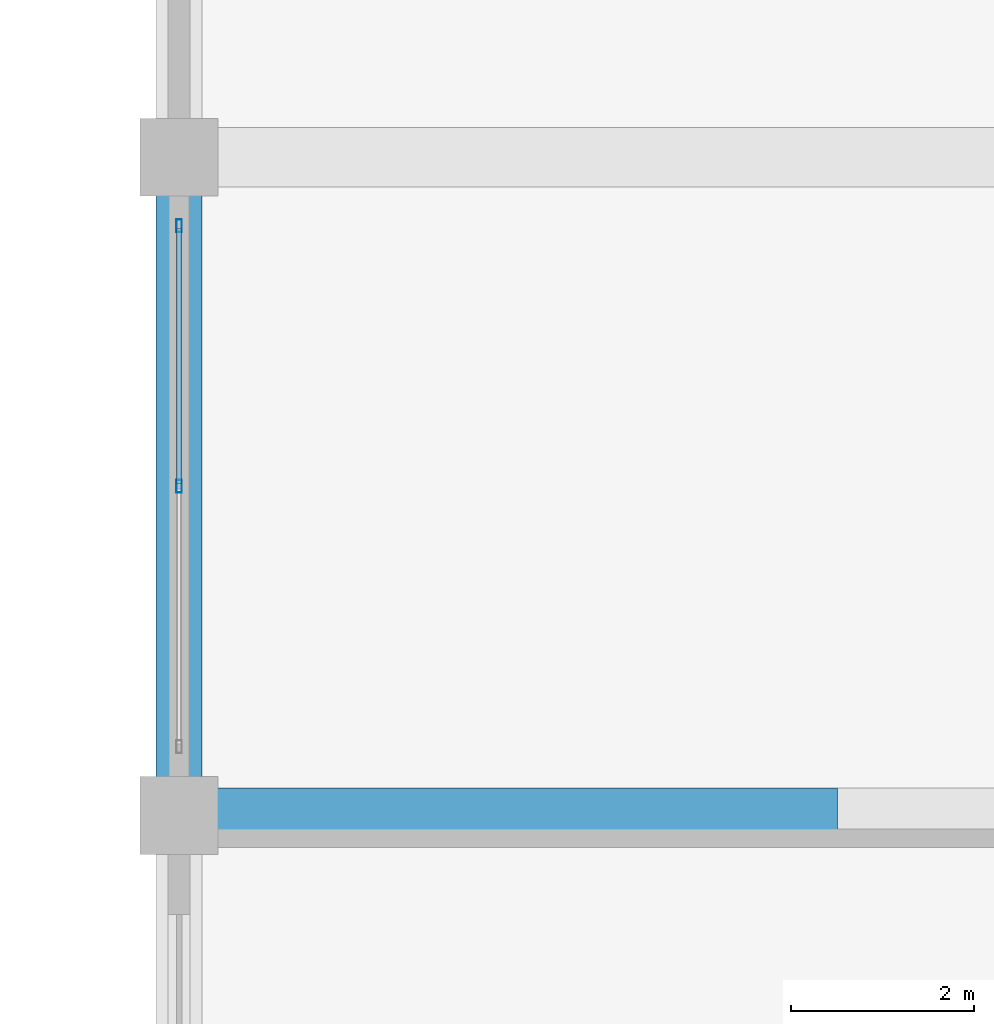
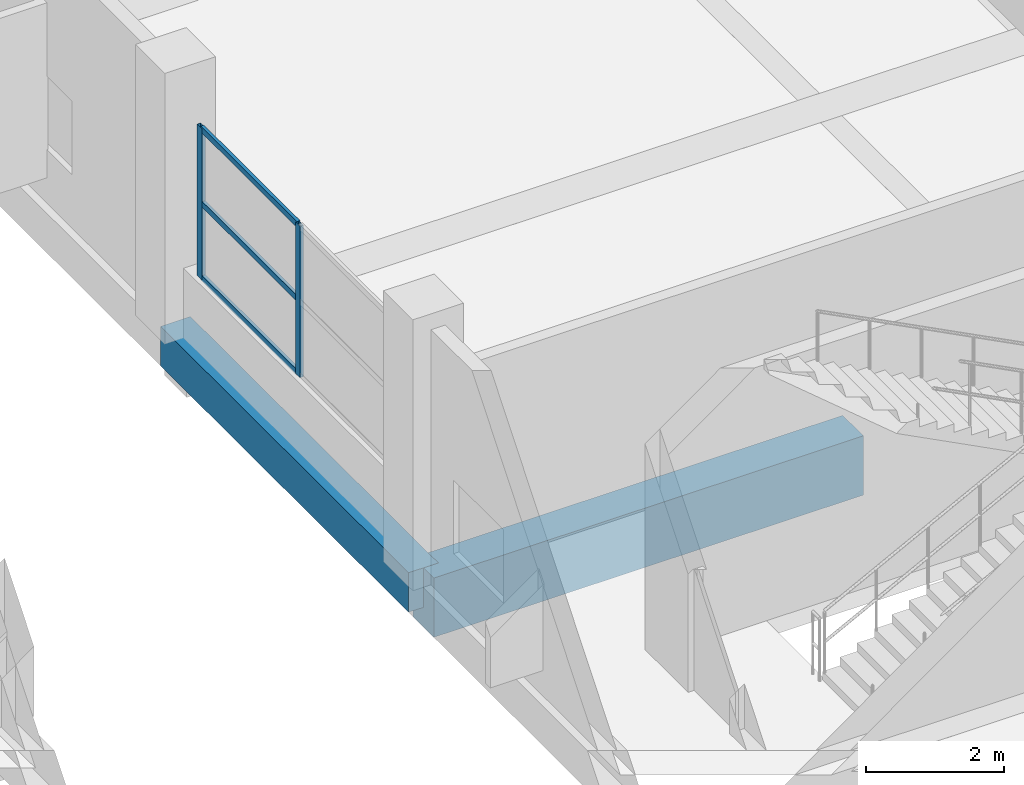
# One storey, part 66 of 181: 5 members, 2 beams, 1 element without a shape of its own.
"""IFC4 building model written with IfcOpenShell, lengths in metres."""

from ifc_helpers import new_model, si_unit, direction, frame, origin, origin_2d, place, context, subcontext, project, spatial, rectangle, hollow_rectangle, extrude, material, layer, layer_set, material_profile, profile_set, type_object, element, aggregate, save


model = new_model("IFC4")

# Units and contexts
model_context = context("Model", 3, precision=1e-05, world=origin(), true_north=direction((0.0, 1.0)))
body_context = subcontext(model_context, "Body", "Model", "MODEL_VIEW")
ifc_project = project(units=[si_unit("LENGTHUNIT", "METRE"), si_unit("AREAUNIT", "SQUARE_METRE"), si_unit("VOLUMEUNIT", "CUBIC_METRE"), si_unit("PLANEANGLEUNIT", "RADIAN"), si_unit("MASSUNIT", "GRAM", prefix="KILO")], contexts=[model_context])

# Site, building, storey
site_placement = place(None, origin())
site = spatial("IfcSite", under=ifc_project, at=site_placement, CompositionType="ELEMENT")
building_placement = place(site_placement, origin())
building = spatial("IfcBuilding", under=site, at=building_placement, Name="Seraya Terrace Polytechnic", CompositionType="ELEMENT")
storey_placement = place(building_placement, frame((0.0, 0.0, 4.800048828125)))
storey = spatial("IfcBuildingStorey", under=building, at=storey_placement, Name="L01", CompositionType="ELEMENT", Elevation=4.800048828125)

# Beams
ifc_material_1 = material(Name="Concrete C40/50", Category="concrete")
ifc_material_profile_1 = material_profile(ifc_material_1, rectangle(XDim=0.60009765625, YDim=1.050048828125, at=origin_2d()), Name="RC 600x1050")
ifc_profile_set_1 = profile_set([ifc_material_profile_1], Name="Concrete C40/50")
beam_type_1 = type_object("IfcBeamType", Name="BM-01", PredefinedType="BEAM", material=ifc_profile_set_1)
beam_1_placement = place(storey_placement, frame((14.39990234375, 86.39990234375, -0.525146484375), z_axis=(1.0, 0.0, 0.0), x_axis=(0.0, 1.0, 0.0)))
element("IfcBeam", 1, at=beam_1_placement, inside=storey, type_object=beam_type_1, Name="Beam BM-01 L01 X (14.4..21.6, 86.4)", PredefinedType="BEAM", context=body_context, shape_type="SweptSolid", body=[
    extrude(rectangle(XDim=0.60009765625, YDim=1.050048828125, at=origin_2d()), origin(), (0.0, 0.0, 1.0), 7.2001953125),
])
ifc_material_profile_2 = material_profile(ifc_material_1, rectangle(XDim=0.5, YDim=0.699951171875, at=origin_2d()), Name="RC 500x700")
ifc_profile_set_2 = profile_set([ifc_material_profile_2], Name="Concrete C40/50")
beam_type_2 = type_object("IfcBeamType", Name="BM-07", PredefinedType="BEAM", material=ifc_profile_set_2)
beam_2_placement = place(storey_placement, frame((14.39990234375, 86.39990234375, -0.35009765625), z_axis=(0.0, 1.0, 0.0), x_axis=(-1.0, 0.0, 0.0)))
element("IfcBeam", 2, at=beam_2_placement, inside=storey, type_object=beam_type_2, Name="Beam BM-07 L01 Y (14.4, 86.4..93.6)", PredefinedType="BEAM", context=body_context, shape_type="SweptSolid", body=[
    extrude(rectangle(XDim=0.5, YDim=0.699951171875, at=origin_2d()), origin(), (0.0, 0.0, 1.0), 7.2001953125),
])

# Curtain wall, members
ifc_material_2 = material(Name="Anodised aluminium EN AW-6063 T6", Category="aluminium")
ifc_layer = layer(ifc_material_2, 0.179931640625, Name="CW-06")
ifc_layer_set = layer_set([ifc_layer], Name="Anodised aluminium EN AW-6063 T6")
curtain_wall_type = type_object("IfcCurtainWallType", Name="CW-06", PredefinedType="NOTDEFINED", material=ifc_layer_set)
curtain_wall_placement = place(storey_placement, origin())
curtain_wall = element("IfcCurtainWall", 3, at=curtain_wall_placement, inside=storey, type_object=curtain_wall_type, Name="Unitised curtain wall CW-06 (CW-L01-006)", PredefinedType="NOTDEFINED")
ifc_material_profile_3 = material_profile(ifc_material_2, hollow_rectangle(XDim=0.06005859375, YDim=0.139892578125, WallThickness=0.00341796875, at=origin_2d()), Name="RHS 140x60x3.5")
ifc_profile_set_3 = profile_set([ifc_material_profile_3], Name="Anodised aluminium EN AW-6063 T6")
member_type_1 = type_object("IfcMemberType", Name="CWM-03", PredefinedType="MULLION", material=ifc_profile_set_3)
member_1_placement = place(storey_placement, frame((14.39990234375, 90.0, 1.239990234375), z_axis=(0.0, 0.0, 1.0), x_axis=(-1.0, 0.0, 0.0)))
member_1 = element("IfcMember", 4, at=member_1_placement, type_object=member_type_1, Name="CW-06 mullion 2", PredefinedType="MULLION", context=body_context, shape_type="SweptSolid", body=[
    extrude(hollow_rectangle(XDim=0.06005859375, YDim=0.139892578125, WallThickness=0.00341796875, at=origin_2d()), origin(), (0.0, 0.0, 1.0), 2.679931640625),
])
member_2_placement = place(storey_placement, frame((14.39990234375, 92.85009765625, 1.239990234375), z_axis=(0.0, 0.0, 1.0), x_axis=(-1.0, 0.0, 0.0)))
member_2 = element("IfcMember", 5, at=member_2_placement, type_object=member_type_1, Name="CW-06 mullion 3", PredefinedType="MULLION", context=body_context, shape_type="SweptSolid", body=[
    extrude(hollow_rectangle(XDim=0.06005859375, YDim=0.139892578125, WallThickness=0.00341796875, at=origin_2d()), origin(), (0.0, 0.0, 1.0), 2.679931640625),
])
ifc_material_profile_4 = material_profile(ifc_material_2, hollow_rectangle(XDim=0.054931640625, YDim=0.10009765625, WallThickness=0.0029296875, at=origin_2d()), Name="RHS 100x55x3.0")
ifc_profile_set_4 = profile_set([ifc_material_profile_4], Name="Anodised aluminium EN AW-6063 T6")
member_type_2 = type_object("IfcMemberType", Name="CWT-03", PredefinedType="USERDEFINED", material=ifc_profile_set_4)
member_3_placement = place(storey_placement, frame((14.39990234375, 90.030029296875, 1.267333984375), z_axis=(0.0, 1.0, 0.0), x_axis=(-1.0, 0.0, 0.0)))
member_3 = element("IfcMember", 6, at=member_3_placement, type_object=member_type_2, Name="CW-06 transom 2.1", ObjectType="TRANSOM", PredefinedType="USERDEFINED", context=body_context, shape_type="SweptSolid", body=[
    extrude(hollow_rectangle(XDim=0.054931640625, YDim=0.10009765625, WallThickness=0.0029296875, at=origin_2d()), origin(), (0.0, 0.0, 1.0), 2.7900390625),
])
member_4_placement = place(storey_placement, frame((14.39990234375, 90.030029296875, 2.579833984375), z_axis=(0.0, 1.0, 0.0), x_axis=(-1.0, 0.0, 0.0)))
member_4 = element("IfcMember", 7, at=member_4_placement, type_object=member_type_2, Name="CW-06 transom 2.2", ObjectType="TRANSOM", PredefinedType="USERDEFINED", context=body_context, shape_type="SweptSolid", body=[
    extrude(hollow_rectangle(XDim=0.054931640625, YDim=0.10009765625, WallThickness=0.0029296875, at=origin_2d()), origin(), (0.0, 0.0, 1.0), 2.7900390625),
])
member_5_placement = place(storey_placement, frame((14.39990234375, 90.030029296875, 3.892333984375), z_axis=(0.0, 1.0, 0.0), x_axis=(-1.0, 0.0, 0.0)))
member_5 = element("IfcMember", 8, at=member_5_placement, type_object=member_type_2, Name="CW-06 transom 2.3", ObjectType="TRANSOM", PredefinedType="USERDEFINED", context=body_context, shape_type="SweptSolid", body=[
    extrude(hollow_rectangle(XDim=0.054931640625, YDim=0.10009765625, WallThickness=0.0029296875, at=origin_2d()), origin(), (0.0, 0.0, 1.0), 2.7900390625),
])
aggregate(curtain_wall, [member_1, member_2, member_3, member_4, member_5])

save(model, "model.ifc")
